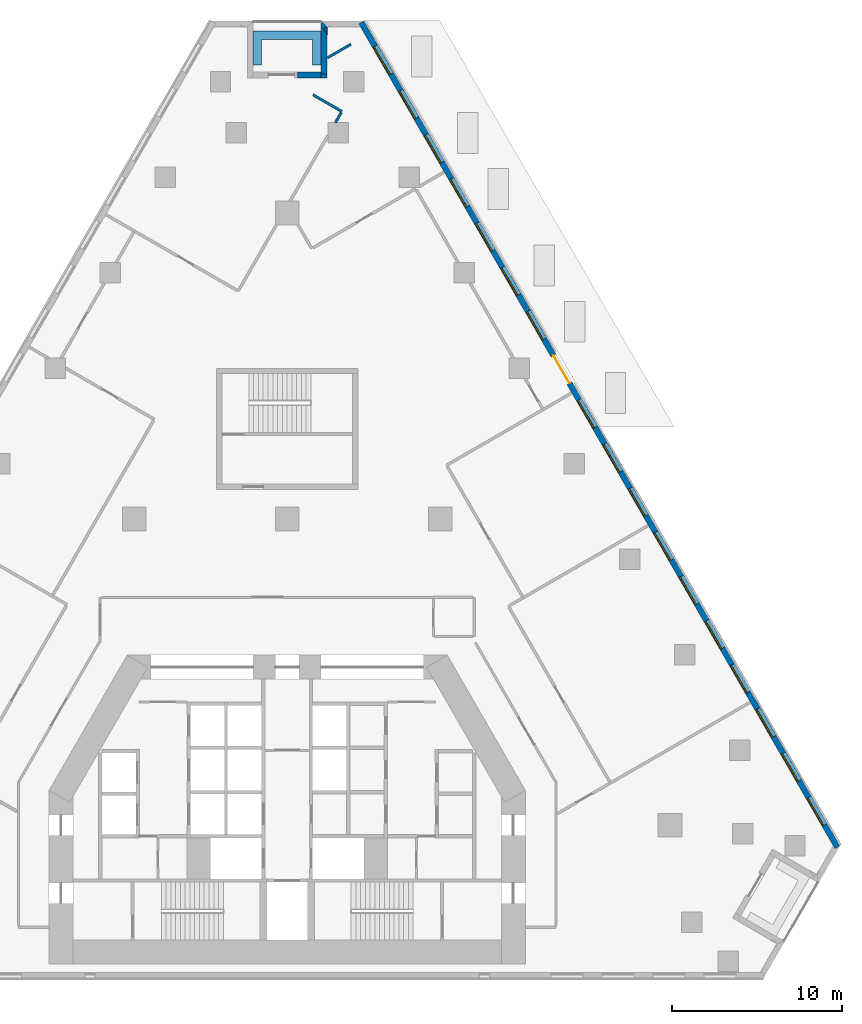
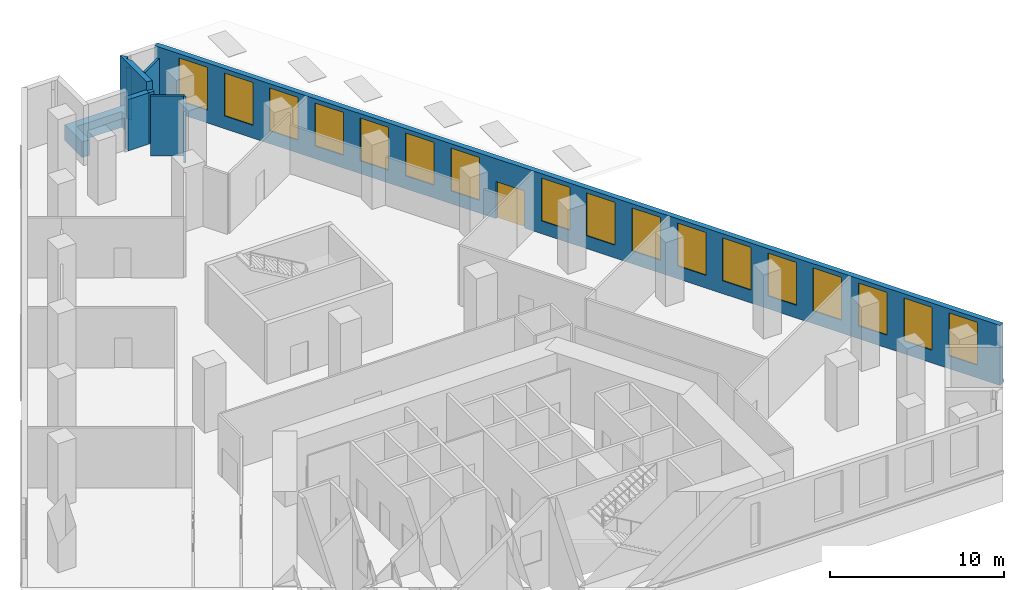
# One storey, part 10 of 13: 17 windows, 9 walls, 1 door, 18 openings.
"""IFC4 building model written with IfcOpenShell, lengths in metres."""

from ifc_helpers import new_model, si_unit, direction, frame, frame_2d, origin, place, context, subcontext, project, spatial, polyline, rectangle, outline, extrude, material, layer, layer_set, type_object, element, fill, save


model = new_model("IFC4")

# Units and contexts
model_context = context("Model", 3, precision=1e-05, world=origin(), true_north=direction((0.0, 1.0)))
body_context = subcontext(model_context, "Body", "Model", "MODEL_VIEW")
ifc_project = project(units=[si_unit("LENGTHUNIT", "METRE"), si_unit("AREAUNIT", "SQUARE_METRE"), si_unit("VOLUMEUNIT", "CUBIC_METRE"), si_unit("PLANEANGLEUNIT", "RADIAN"), si_unit("MASSUNIT", "GRAM", prefix="KILO")], contexts=[model_context])

# Site, building, storey
site_placement = place(None, origin())
site = spatial("IfcSite", under=ifc_project, at=site_placement, CompositionType="ELEMENT")
building_placement = place(site_placement, origin())
building = spatial("IfcBuilding", under=site, at=building_placement, Name="Fogline Exchange Tower", CompositionType="ELEMENT")
storey_placement = place(building_placement, frame((0.0, 0.0, 25.0)))
storey = spatial("IfcBuildingStorey", under=building, at=storey_placement, Name="L04", CompositionType="ELEMENT", Elevation=25.0)

# Wall, openings, door, windows
ifc_material_1 = material(Name="Brick masonry", Category="masonry")
ifc_layer_1 = layer(ifc_material_1, 0.340087890625)
ifc_layer_set_1 = layer_set([ifc_layer_1], Name="FW1")
wall_type_1 = type_object("IfcWallType", Name="FW1", PredefinedType="SOLIDWALL", material=ifc_layer_set_1)
wall_1_placement = place(storey_placement, frame((32.352783203125, 7.709228515625, 0.0), z_axis=(0.0, 0.0, 1.0), x_axis=(-0.500000836325, 0.866024920931, 0.0)))
wall_1 = element("IfcWall", 1, at=wall_1_placement, inside=storey, type_object=wall_type_1, Name="Brick wall L04 E", PredefinedType="SOLIDWALL", context=body_context, shape_type="SweptSolid", body=[
    extrude(rectangle(XDim=56.0, YDim=0.340087890625, at=frame_2d((28.0, 0.0))), origin(), (0.0, 0.0, 1.0), 4.199951171875),
])
opening_1_placement = place(wall_1_placement, frame((1.5, 0.0, 0.89990234375)))
opening_1 = element("IfcOpeningElement", 2, at=opening_1_placement, cuts=wall_1, Name="Opening W2", PredefinedType="OPENING", context=body_context, shape_type="SweptSolid", body=[
    extrude(rectangle(XDim=1.885009765625, YDim=3.0, at=frame_2d((0.9423828125, 1.5))), frame((0.0, 0.18017578125, 0.0), z_axis=(0.0, -1.0, 0.0), x_axis=(1.0, 0.0, 0.0)), (0.0, 0.0, 1.0), 0.360107421875),
])
opening_2_placement = place(wall_1_placement, frame((4.5, 0.0, 0.89990234375)))
opening_2 = element("IfcOpeningElement", 3, at=opening_2_placement, cuts=wall_1, Name="Opening W2", PredefinedType="OPENING", context=body_context, shape_type="SweptSolid", body=[
    extrude(rectangle(XDim=1.885009765625, YDim=3.0, at=frame_2d((0.9423828125, 1.5))), frame((0.0, 0.18017578125, 0.0), z_axis=(0.0, -1.0, 0.0), x_axis=(1.0, 0.0, 0.0)), (0.0, 0.0, 1.0), 0.360107421875),
])
opening_3_placement = place(wall_1_placement, frame((7.5, 0.0, 0.89990234375)))
opening_3 = element("IfcOpeningElement", 4, at=opening_3_placement, cuts=wall_1, Name="Opening W2", PredefinedType="OPENING", context=body_context, shape_type="SweptSolid", body=[
    extrude(rectangle(XDim=1.885009765625, YDim=3.0, at=frame_2d((0.9423828125, 1.5))), frame((0.0, 0.18017578125, 0.0), z_axis=(0.0, -1.0, 0.0), x_axis=(1.0, 0.0, 0.0)), (0.0, 0.0, 1.0), 0.360107421875),
])
opening_4_placement = place(wall_1_placement, frame((10.5, 0.0, 0.89990234375)))
opening_4 = element("IfcOpeningElement", 5, at=opening_4_placement, cuts=wall_1, Name="Opening W2", PredefinedType="OPENING", context=body_context, shape_type="SweptSolid", body=[
    extrude(rectangle(XDim=1.885009765625, YDim=3.0, at=frame_2d((0.9423828125, 1.5))), frame((0.0, 0.18017578125, 0.0), z_axis=(0.0, -1.0, 0.0), x_axis=(1.0, 0.0, 0.0)), (0.0, 0.0, 1.0), 0.360107421875),
])
opening_5_placement = place(wall_1_placement, frame((13.5, 0.0, 0.89990234375)))
opening_5 = element("IfcOpeningElement", 6, at=opening_5_placement, cuts=wall_1, Name="Opening W2", PredefinedType="OPENING", context=body_context, shape_type="SweptSolid", body=[
    extrude(rectangle(XDim=1.885009765625, YDim=3.0, at=frame_2d((0.9423828125, 1.5))), frame((0.0, 0.18017578125, 0.0), z_axis=(0.0, -1.0, 0.0), x_axis=(1.0, 0.0, 0.0)), (0.0, 0.0, 1.0), 0.360107421875),
])
opening_6_placement = place(wall_1_placement, frame((16.5, 0.0, 0.89990234375)))
opening_6 = element("IfcOpeningElement", 7, at=opening_6_placement, cuts=wall_1, Name="Opening W2", PredefinedType="OPENING", context=body_context, shape_type="SweptSolid", body=[
    extrude(rectangle(XDim=1.885009765625, YDim=3.0, at=frame_2d((0.9423828125, 1.5))), frame((0.0, 0.18017578125, 0.0), z_axis=(0.0, -1.0, 0.0), x_axis=(1.0, 0.0, 0.0)), (0.0, 0.0, 1.0), 0.360107421875),
])
opening_7_placement = place(wall_1_placement, frame((19.5, 0.0, 0.89990234375)))
opening_7 = element("IfcOpeningElement", 8, at=opening_7_placement, cuts=wall_1, Name="Opening W2", PredefinedType="OPENING", context=body_context, shape_type="SweptSolid", body=[
    extrude(rectangle(XDim=1.885009765625, YDim=3.0, at=frame_2d((0.9423828125, 1.5))), frame((0.0, 0.18017578125, 0.0), z_axis=(0.0, -1.0, 0.0), x_axis=(1.0, 0.0, 0.0)), (0.0, 0.0, 1.0), 0.360107421875),
])
opening_8_placement = place(wall_1_placement, frame((22.5, 0.0, 0.89990234375)))
opening_8 = element("IfcOpeningElement", 9, at=opening_8_placement, cuts=wall_1, Name="Opening W2", PredefinedType="OPENING", context=body_context, shape_type="SweptSolid", body=[
    extrude(rectangle(XDim=1.885009765625, YDim=3.0, at=frame_2d((0.9423828125, 1.5))), frame((0.0, 0.18017578125, 0.0), z_axis=(0.0, -1.0, 0.0), x_axis=(1.0, 0.0, 0.0)), (0.0, 0.0, 1.0), 0.360107421875),
])
opening_9_placement = place(wall_1_placement, frame((25.5, 0.0, 0.89990234375)))
opening_9 = element("IfcOpeningElement", 10, at=opening_9_placement, cuts=wall_1, Name="Opening W2", PredefinedType="OPENING", context=body_context, shape_type="SweptSolid", body=[
    extrude(rectangle(XDim=1.885009765625, YDim=3.0, at=frame_2d((0.9423828125, 1.5))), frame((0.0, 0.18017578125, 0.0), z_axis=(0.0, -1.0, 0.0), x_axis=(1.0, 0.0, 0.0)), (0.0, 0.0, 1.0), 0.360107421875),
])
opening_10_placement = place(wall_1_placement, frame((28.5, 0.0, 0.89990234375)))
opening_10 = element("IfcOpeningElement", 11, at=opening_10_placement, cuts=wall_1, Name="Opening W2", PredefinedType="OPENING", context=body_context, shape_type="SweptSolid", body=[
    extrude(rectangle(XDim=1.885009765625, YDim=3.0, at=frame_2d((0.9423828125, 1.5))), frame((0.0, 0.18017578125, 0.0), z_axis=(0.0, -1.0, 0.0), x_axis=(1.0, 0.0, 0.0)), (0.0, 0.0, 1.0), 0.360107421875),
])
opening_11_placement = place(wall_1_placement, frame((31.5, 0.0, 0.0)))
opening_11 = element("IfcOpeningElement", 12, at=opening_11_placement, cuts=wall_1, Name="Opening T00-E111", PredefinedType="OPENING", context=body_context, shape_type="SweptSolid", body=[
    extrude(rectangle(XDim=1.885009765625, YDim=2.60009765625, at=frame_2d((0.9423828125, 1.300048828125))), frame((0.0, 0.18017578125, 0.0), z_axis=(0.0, -1.0, 0.0), x_axis=(1.0, 0.0, 0.0)), (0.0, 0.0, 1.0), 0.360107421875),
])
opening_12_placement = place(wall_1_placement, frame((34.5, 0.0, 0.89990234375)))
opening_12 = element("IfcOpeningElement", 13, at=opening_12_placement, cuts=wall_1, Name="Opening W2", PredefinedType="OPENING", context=body_context, shape_type="SweptSolid", body=[
    extrude(rectangle(XDim=1.885009765625, YDim=3.0, at=frame_2d((0.9423828125, 1.5))), frame((0.0, 0.18017578125, 0.0), z_axis=(0.0, -1.0, 0.0), x_axis=(1.0, 0.0, 0.0)), (0.0, 0.0, 1.0), 0.360107421875),
])
opening_13_placement = place(wall_1_placement, frame((37.5, 0.0, 0.89990234375)))
opening_13 = element("IfcOpeningElement", 14, at=opening_13_placement, cuts=wall_1, Name="Opening W2", PredefinedType="OPENING", context=body_context, shape_type="SweptSolid", body=[
    extrude(rectangle(XDim=1.885009765625, YDim=3.0, at=frame_2d((0.9423828125, 1.5))), frame((0.0, 0.18017578125, 0.0), z_axis=(0.0, -1.0, 0.0), x_axis=(1.0, 0.0, 0.0)), (0.0, 0.0, 1.0), 0.360107421875),
])
opening_14_placement = place(wall_1_placement, frame((40.5, 0.0, 0.89990234375)))
opening_14 = element("IfcOpeningElement", 15, at=opening_14_placement, cuts=wall_1, Name="Opening W2", PredefinedType="OPENING", context=body_context, shape_type="SweptSolid", body=[
    extrude(rectangle(XDim=1.885009765625, YDim=3.0, at=frame_2d((0.9423828125, 1.5))), frame((0.0, 0.18017578125, 0.0), z_axis=(0.0, -1.0, 0.0), x_axis=(1.0, 0.0, 0.0)), (0.0, 0.0, 1.0), 0.360107421875),
])
opening_15_placement = place(wall_1_placement, frame((43.5, 0.0, 0.89990234375)))
opening_15 = element("IfcOpeningElement", 16, at=opening_15_placement, cuts=wall_1, Name="Opening W2", PredefinedType="OPENING", context=body_context, shape_type="SweptSolid", body=[
    extrude(rectangle(XDim=1.885009765625, YDim=3.0, at=frame_2d((0.9423828125, 1.5))), frame((0.0, 0.18017578125, 0.0), z_axis=(0.0, -1.0, 0.0), x_axis=(1.0, 0.0, 0.0)), (0.0, 0.0, 1.0), 0.360107421875),
])
opening_16_placement = place(wall_1_placement, frame((46.5, 0.0, 0.89990234375)))
opening_16 = element("IfcOpeningElement", 17, at=opening_16_placement, cuts=wall_1, Name="Opening W2", PredefinedType="OPENING", context=body_context, shape_type="SweptSolid", body=[
    extrude(rectangle(XDim=1.885009765625, YDim=3.0, at=frame_2d((0.9423828125, 1.5))), frame((0.0, 0.18017578125, 0.0), z_axis=(0.0, -1.0, 0.0), x_axis=(1.0, 0.0, 0.0)), (0.0, 0.0, 1.0), 0.360107421875),
])
opening_17_placement = place(wall_1_placement, frame((49.5, 0.0, 0.89990234375)))
opening_17 = element("IfcOpeningElement", 18, at=opening_17_placement, cuts=wall_1, Name="Opening W2", PredefinedType="OPENING", context=body_context, shape_type="SweptSolid", body=[
    extrude(rectangle(XDim=1.885009765625, YDim=3.0, at=frame_2d((0.9423828125, 1.5))), frame((0.0, 0.18017578125, 0.0), z_axis=(0.0, -1.0, 0.0), x_axis=(1.0, 0.0, 0.0)), (0.0, 0.0, 1.0), 0.360107421875),
])
opening_18_placement = place(wall_1_placement, frame((52.5, 0.0, 0.89990234375)))
opening_18 = element("IfcOpeningElement", 19, at=opening_18_placement, cuts=wall_1, Name="Opening W2", PredefinedType="OPENING", context=body_context, shape_type="SweptSolid", body=[
    extrude(rectangle(XDim=1.885009765625, YDim=3.0, at=frame_2d((0.9423828125, 1.5))), frame((0.0, 0.18017578125, 0.0), z_axis=(0.0, -1.0, 0.0), x_axis=(1.0, 0.0, 0.0)), (0.0, 0.0, 1.0), 0.360107421875),
])
ifc_material_2 = material(Name="Aluminium and glass", Category="aluminium")
door_type = type_object("IfcDoorType", Name="ED5", OperationType="SINGLE_SWING_LEFT", PredefinedType="DOOR", material=ifc_material_2)
door_placement = place(opening_11_placement, frame((1.885009765625, 0.0, 0.0), z_axis=(0.0, 0.0, 1.0), x_axis=(-1.0, 0.0, 0.0)))
door = element("IfcDoor", 20, at=door_placement, inside=storey, type_object=door_type, Name="Terrace door L04 E", OperationType="DOUBLE_DOOR_SINGLE_SWING", OverallHeight=2.60009765625, OverallWidth=1.885009765625, PredefinedType="DOOR", context=body_context, shape_type="SweptSolid", body=[
    extrude(rectangle(XDim=1.885009765625, YDim=2.60009765625, at=frame_2d((0.9423828125, 1.300048828125))), frame((0.0, 0.02490234375, 0.0), z_axis=(0.0, -1.0, 0.0), x_axis=(1.0, 0.0, 0.0)), (0.0, 0.0, 1.0), 0.050048828125),
])
fill(opening_11, door)
window_type = type_object("IfcWindowType", Name="W2", PartitioningType="SINGLE_PANEL", PredefinedType="WINDOW", material=ifc_material_2)
window_1_placement = place(opening_1_placement, origin())
window_1 = element("IfcWindow", 21, at=window_1_placement, inside=storey, type_object=window_type, Name="W2 W2", OverallHeight=3.0, OverallWidth=1.885009765625, PartitioningType="SINGLE_PANEL", PredefinedType="WINDOW", context=body_context, shape_type="SweptSolid", body=[
    extrude(rectangle(XDim=1.885009765625, YDim=3.0, at=frame_2d((0.9423828125, 1.5))), frame((0.0, 0.110107421875, 0.0), z_axis=(0.0, -1.0, 0.0), x_axis=(1.0, 0.0, 0.0)), (0.0, 0.0, 1.0), 0.06005859375),
])
fill(opening_1, window_1)
window_2_placement = place(opening_2_placement, origin())
window_2 = element("IfcWindow", 22, at=window_2_placement, inside=storey, type_object=window_type, Name="W2 W2", OverallHeight=3.0, OverallWidth=1.885009765625, PartitioningType="SINGLE_PANEL", PredefinedType="WINDOW", context=body_context, shape_type="SweptSolid", body=[
    extrude(rectangle(XDim=1.885009765625, YDim=3.0, at=frame_2d((0.9423828125, 1.5))), frame((0.0, 0.110107421875, 0.0), z_axis=(0.0, -1.0, 0.0), x_axis=(1.0, 0.0, 0.0)), (0.0, 0.0, 1.0), 0.06005859375),
])
fill(opening_2, window_2)
window_3_placement = place(opening_3_placement, origin())
window_3 = element("IfcWindow", 23, at=window_3_placement, inside=storey, type_object=window_type, Name="W2 W2", OverallHeight=3.0, OverallWidth=1.885009765625, PartitioningType="SINGLE_PANEL", PredefinedType="WINDOW", context=body_context, shape_type="SweptSolid", body=[
    extrude(rectangle(XDim=1.885009765625, YDim=3.0, at=frame_2d((0.9423828125, 1.5))), frame((0.0, 0.110107421875, 0.0), z_axis=(0.0, -1.0, 0.0), x_axis=(1.0, 0.0, 0.0)), (0.0, 0.0, 1.0), 0.06005859375),
])
fill(opening_3, window_3)
window_4_placement = place(opening_4_placement, origin())
window_4 = element("IfcWindow", 24, at=window_4_placement, inside=storey, type_object=window_type, Name="W2 W2", OverallHeight=3.0, OverallWidth=1.885009765625, PartitioningType="SINGLE_PANEL", PredefinedType="WINDOW", context=body_context, shape_type="SweptSolid", body=[
    extrude(rectangle(XDim=1.885009765625, YDim=3.0, at=frame_2d((0.9423828125, 1.5))), frame((0.0, 0.110107421875, 0.0), z_axis=(0.0, -1.0, 0.0), x_axis=(1.0, 0.0, 0.0)), (0.0, 0.0, 1.0), 0.06005859375),
])
fill(opening_4, window_4)
window_5_placement = place(opening_5_placement, origin())
window_5 = element("IfcWindow", 25, at=window_5_placement, inside=storey, type_object=window_type, Name="W2 W2", OverallHeight=3.0, OverallWidth=1.885009765625, PartitioningType="SINGLE_PANEL", PredefinedType="WINDOW", context=body_context, shape_type="SweptSolid", body=[
    extrude(rectangle(XDim=1.885009765625, YDim=3.0, at=frame_2d((0.9423828125, 1.5))), frame((0.0, 0.110107421875, 0.0), z_axis=(0.0, -1.0, 0.0), x_axis=(1.0, 0.0, 0.0)), (0.0, 0.0, 1.0), 0.06005859375),
])
fill(opening_5, window_5)
window_6_placement = place(opening_6_placement, origin())
window_6 = element("IfcWindow", 26, at=window_6_placement, inside=storey, type_object=window_type, Name="W2 W2", OverallHeight=3.0, OverallWidth=1.885009765625, PartitioningType="SINGLE_PANEL", PredefinedType="WINDOW", context=body_context, shape_type="SweptSolid", body=[
    extrude(rectangle(XDim=1.885009765625, YDim=3.0, at=frame_2d((0.9423828125, 1.5))), frame((0.0, 0.110107421875, 0.0), z_axis=(0.0, -1.0, 0.0), x_axis=(1.0, 0.0, 0.0)), (0.0, 0.0, 1.0), 0.06005859375),
])
fill(opening_6, window_6)
window_7_placement = place(opening_7_placement, origin())
window_7 = element("IfcWindow", 27, at=window_7_placement, inside=storey, type_object=window_type, Name="W2 W2", OverallHeight=3.0, OverallWidth=1.885009765625, PartitioningType="SINGLE_PANEL", PredefinedType="WINDOW", context=body_context, shape_type="SweptSolid", body=[
    extrude(rectangle(XDim=1.885009765625, YDim=3.0, at=frame_2d((0.9423828125, 1.5))), frame((0.0, 0.110107421875, 0.0), z_axis=(0.0, -1.0, 0.0), x_axis=(1.0, 0.0, 0.0)), (0.0, 0.0, 1.0), 0.06005859375),
])
fill(opening_7, window_7)
window_8_placement = place(opening_8_placement, origin())
window_8 = element("IfcWindow", 28, at=window_8_placement, inside=storey, type_object=window_type, Name="W2 W2", OverallHeight=3.0, OverallWidth=1.885009765625, PartitioningType="SINGLE_PANEL", PredefinedType="WINDOW", context=body_context, shape_type="SweptSolid", body=[
    extrude(rectangle(XDim=1.885009765625, YDim=3.0, at=frame_2d((0.9423828125, 1.5))), frame((0.0, 0.110107421875, 0.0), z_axis=(0.0, -1.0, 0.0), x_axis=(1.0, 0.0, 0.0)), (0.0, 0.0, 1.0), 0.06005859375),
])
fill(opening_8, window_8)
window_9_placement = place(opening_9_placement, origin())
window_9 = element("IfcWindow", 29, at=window_9_placement, inside=storey, type_object=window_type, Name="W2 W2", OverallHeight=3.0, OverallWidth=1.885009765625, PartitioningType="SINGLE_PANEL", PredefinedType="WINDOW", context=body_context, shape_type="SweptSolid", body=[
    extrude(rectangle(XDim=1.885009765625, YDim=3.0, at=frame_2d((0.9423828125, 1.5))), frame((0.0, 0.110107421875, 0.0), z_axis=(0.0, -1.0, 0.0), x_axis=(1.0, 0.0, 0.0)), (0.0, 0.0, 1.0), 0.06005859375),
])
fill(opening_9, window_9)
window_10_placement = place(opening_10_placement, origin())
window_10 = element("IfcWindow", 30, at=window_10_placement, inside=storey, type_object=window_type, Name="W2 W2", OverallHeight=3.0, OverallWidth=1.885009765625, PartitioningType="SINGLE_PANEL", PredefinedType="WINDOW", context=body_context, shape_type="SweptSolid", body=[
    extrude(rectangle(XDim=1.885009765625, YDim=3.0, at=frame_2d((0.9423828125, 1.5))), frame((0.0, 0.110107421875, 0.0), z_axis=(0.0, -1.0, 0.0), x_axis=(1.0, 0.0, 0.0)), (0.0, 0.0, 1.0), 0.06005859375),
])
fill(opening_10, window_10)
window_11_placement = place(opening_12_placement, origin())
window_11 = element("IfcWindow", 31, at=window_11_placement, inside=storey, type_object=window_type, Name="W2 W2", OverallHeight=3.0, OverallWidth=1.885009765625, PartitioningType="SINGLE_PANEL", PredefinedType="WINDOW", context=body_context, shape_type="SweptSolid", body=[
    extrude(rectangle(XDim=1.885009765625, YDim=3.0, at=frame_2d((0.9423828125, 1.5))), frame((0.0, 0.110107421875, 0.0), z_axis=(0.0, -1.0, 0.0), x_axis=(1.0, 0.0, 0.0)), (0.0, 0.0, 1.0), 0.06005859375),
])
fill(opening_12, window_11)
window_12_placement = place(opening_13_placement, origin())
window_12 = element("IfcWindow", 32, at=window_12_placement, inside=storey, type_object=window_type, Name="W2 W2", OverallHeight=3.0, OverallWidth=1.885009765625, PartitioningType="SINGLE_PANEL", PredefinedType="WINDOW", context=body_context, shape_type="SweptSolid", body=[
    extrude(rectangle(XDim=1.885009765625, YDim=3.0, at=frame_2d((0.9423828125, 1.5))), frame((0.0, 0.110107421875, 0.0), z_axis=(0.0, -1.0, 0.0), x_axis=(1.0, 0.0, 0.0)), (0.0, 0.0, 1.0), 0.06005859375),
])
fill(opening_13, window_12)
window_13_placement = place(opening_14_placement, origin())
window_13 = element("IfcWindow", 33, at=window_13_placement, inside=storey, type_object=window_type, Name="W2 W2", OverallHeight=3.0, OverallWidth=1.885009765625, PartitioningType="SINGLE_PANEL", PredefinedType="WINDOW", context=body_context, shape_type="SweptSolid", body=[
    extrude(rectangle(XDim=1.885009765625, YDim=3.0, at=frame_2d((0.9423828125, 1.5))), frame((0.0, 0.110107421875, 0.0), z_axis=(0.0, -1.0, 0.0), x_axis=(1.0, 0.0, 0.0)), (0.0, 0.0, 1.0), 0.06005859375),
])
fill(opening_14, window_13)
window_14_placement = place(opening_15_placement, origin())
window_14 = element("IfcWindow", 34, at=window_14_placement, inside=storey, type_object=window_type, Name="W2 W2", OverallHeight=3.0, OverallWidth=1.885009765625, PartitioningType="SINGLE_PANEL", PredefinedType="WINDOW", context=body_context, shape_type="SweptSolid", body=[
    extrude(rectangle(XDim=1.885009765625, YDim=3.0, at=frame_2d((0.9423828125, 1.5))), frame((0.0, 0.110107421875, 0.0), z_axis=(0.0, -1.0, 0.0), x_axis=(1.0, 0.0, 0.0)), (0.0, 0.0, 1.0), 0.06005859375),
])
fill(opening_15, window_14)
window_15_placement = place(opening_16_placement, origin())
window_15 = element("IfcWindow", 35, at=window_15_placement, inside=storey, type_object=window_type, Name="W2 W2", OverallHeight=3.0, OverallWidth=1.885009765625, PartitioningType="SINGLE_PANEL", PredefinedType="WINDOW", context=body_context, shape_type="SweptSolid", body=[
    extrude(rectangle(XDim=1.885009765625, YDim=3.0, at=frame_2d((0.9423828125, 1.5))), frame((0.0, 0.110107421875, 0.0), z_axis=(0.0, -1.0, 0.0), x_axis=(1.0, 0.0, 0.0)), (0.0, 0.0, 1.0), 0.06005859375),
])
fill(opening_16, window_15)
window_16_placement = place(opening_17_placement, origin())
window_16 = element("IfcWindow", 36, at=window_16_placement, inside=storey, type_object=window_type, Name="W2 W2", OverallHeight=3.0, OverallWidth=1.885009765625, PartitioningType="SINGLE_PANEL", PredefinedType="WINDOW", context=body_context, shape_type="SweptSolid", body=[
    extrude(rectangle(XDim=1.885009765625, YDim=3.0, at=frame_2d((0.9423828125, 1.5))), frame((0.0, 0.110107421875, 0.0), z_axis=(0.0, -1.0, 0.0), x_axis=(1.0, 0.0, 0.0)), (0.0, 0.0, 1.0), 0.06005859375),
])
fill(opening_17, window_16)
window_17_placement = place(opening_18_placement, origin())
window_17 = element("IfcWindow", 37, at=window_17_placement, inside=storey, type_object=window_type, Name="W2 W2", OverallHeight=3.0, OverallWidth=1.885009765625, PartitioningType="SINGLE_PANEL", PredefinedType="WINDOW", context=body_context, shape_type="SweptSolid", body=[
    extrude(rectangle(XDim=1.885009765625, YDim=3.0, at=frame_2d((0.9423828125, 1.5))), frame((0.0, 0.110107421875, 0.0), z_axis=(0.0, -1.0, 0.0), x_axis=(1.0, 0.0, 0.0)), (0.0, 0.0, 1.0), 0.06005859375),
])
fill(opening_18, window_17)

# Walls
wall_2_placement = place(storey_placement, origin())
element("IfcWall", 38, at=wall_2_placement, inside=storey, type_object=wall_type_1, Name="Brick wall L04 N-s1", PredefinedType="SOLIDWALL", context=body_context, shape_type="SweptSolid", body=[
    extrude(outline(polyline([(2.340576171875, 55.473876953125), (2.16064453125, 55.83984375), (2.340576171875, 55.928466796875), (2.340576171875, 55.473876953125)])), origin(), (0.0, 0.0, 1.0), 3.60009765625),
])
wall_3_placement = place(storey_placement, origin())
element("IfcWall", 39, at=wall_3_placement, inside=storey, type_object=wall_type_1, Name="Brick wall L04 N-s1", PredefinedType="SOLIDWALL", context=body_context, shape_type="SweptSolid", body=[
    extrude(outline(polyline([(1.99951171875, 53.209716796875), (2.340576171875, 53.1572265625), (2.340576171875, 52.951171875), (1.99951171875, 52.951171875), (1.99951171875, 53.209716796875)])), origin(), (0.0, 0.0, 1.0), 3.60009765625),
])
wall_4_placement = place(storey_placement, origin())
element("IfcWall", 40, at=wall_4_placement, inside=storey, type_object=wall_type_1, Name="Brick wall L04 N-s1", PredefinedType="SOLIDWALL", context=body_context, shape_type="SweptSolid", body=[
    extrude(outline(polyline([(1.99951171875, 56.292724609375), (1.999755859375, 56.292724609375), (2.340576171875, 55.951904296875), (2.340576171875, 55.928466796875), (2.16064453125, 55.83984375), (2.340576171875, 55.473876953125), (2.340576171875, 53.1572265625), (1.99951171875, 53.209716796875), (1.99951171875, 56.292724609375)])), origin(), (0.0, 0.0, 1.0), 4.199951171875),
])
wall_5_placement = place(storey_placement, frame((2.0, 53.12158203125, 0.0), z_axis=(0.0, 0.0, 1.0), x_axis=(-1.0, 0.0, 0.0)))
element("IfcWall", 41, at=wall_5_placement, inside=storey, type_object=wall_type_1, Name="Brick wall L04 N-bk", PredefinedType="SOLIDWALL", context=body_context, shape_type="SweptSolid", body=[
    extrude(rectangle(XDim=1.38671875, YDim=0.340087890625, at=frame_2d((0.693359375, 0.0))), origin(), (0.0, 0.0, 1.0), 3.60009765625),
])
ifc_material_3 = material(Name="Concrete C30", Category="concrete")
ifc_layer_2 = layer(ifc_material_3, 0.199951171875)
ifc_layer_set_2 = layer_set([ifc_layer_2], Name="PL1")
wall_type_2 = type_object("IfcWallType", Name="PL1", PredefinedType="USERDEFINED", material=ifc_layer_set_2)
wall_6_placement = place(storey_placement, origin())
element("IfcWall", 42, at=wall_6_placement, inside=storey, type_object=wall_type_2, Name="PLANTER balcony L04 N", ObjectType="PLANTER", PredefinedType="USERDEFINED", context=body_context, shape_type="SweptSolid", body=[
    extrude(outline(polyline([(-1.5, 55.691650390625), (-2.0, 55.691650390625), (-2.0, 55.191650390625), (-2.0, 53.691650390625), (-1.5, 53.691650390625), (-1.5, 55.191650390625), (1.5, 55.191650390625), (1.5, 53.691650390625), (2.0, 53.691650390625), (2.0, 55.191650390625), (2.0, 55.691650390625), (1.5, 55.691650390625), (-1.5, 55.691650390625)])), origin(), (0.0, 0.0, 1.0), 1.10009765625),
])
ifc_material_4 = material(Name="Plasterboard demising partition with mineral wool and acoustic board")
ifc_layer_3 = layer(ifc_material_4, 0.14990234375)
ifc_layer_set_3 = layer_set([ifc_layer_3], Name="PW3")
wall_type_3 = type_object("IfcWallType", Name="PW3", PredefinedType="PARTITIONING", material=ifc_layer_set_3)
wall_7_placement = place(storey_placement, frame((3.743408203125, 54.92236328125, 0.0), z_axis=(0.0, 0.0, 1.0), x_axis=(-0.866052668871, -0.499952772512, 0.0)))
element("IfcWall", 43, at=wall_7_placement, inside=storey, type_object=wall_type_3, Name="wall-L04-W018", PredefinedType="PARTITIONING", context=body_context, shape_type="SweptSolid", body=[
    extrude(rectangle(XDim=1.590576171875, YDim=0.14990234375, at=frame_2d((0.79541015625, 0.0))), origin(), (0.0, 0.0, 1.0), 4.199951171875),
])
wall_8_placement = place(storey_placement, frame((2.83251953125, 50.311767578125, 0.0), z_axis=(0.0, 0.0, 1.0), x_axis=(0.5001118933, 0.865960792519, 0.0)))
element("IfcWall", 44, at=wall_8_placement, inside=storey, type_object=wall_type_3, Name="wall-L04-W025", PredefinedType="PARTITIONING", context=body_context, shape_type="SweptSolid", body=[
    extrude(rectangle(XDim=0.687255859375, YDim=0.14990234375, at=frame_2d((0.34375, 0.0))), origin(), (0.0, 0.0, 1.0), 4.199951171875),
])
wall_9_placement = place(storey_placement, frame((3.213623046875, 50.97216796875, 0.0), z_axis=(0.0, 0.0, 1.0), x_axis=(-0.866004557827, 0.500036104519, 0.0)))
element("IfcWall", 45, at=wall_9_placement, inside=storey, type_object=wall_type_3, Name="wall-L04-W026", PredefinedType="PARTITIONING", context=body_context, shape_type="SweptSolid", body=[
    extrude(rectangle(XDim=1.953857421875, YDim=0.14990234375, at=frame_2d((0.97705078125, 0.0))), origin(), (0.0, 0.0, 1.0), 4.199951171875),
])

save(model, "model.ifc")
